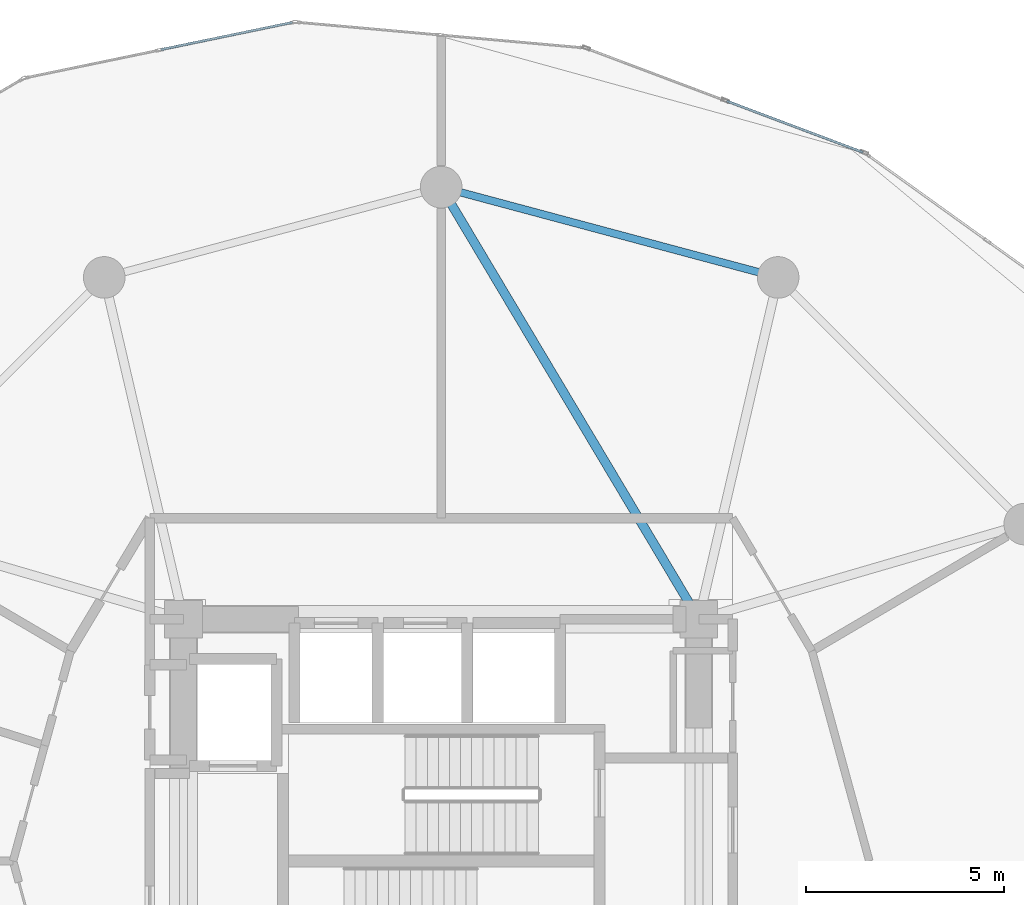
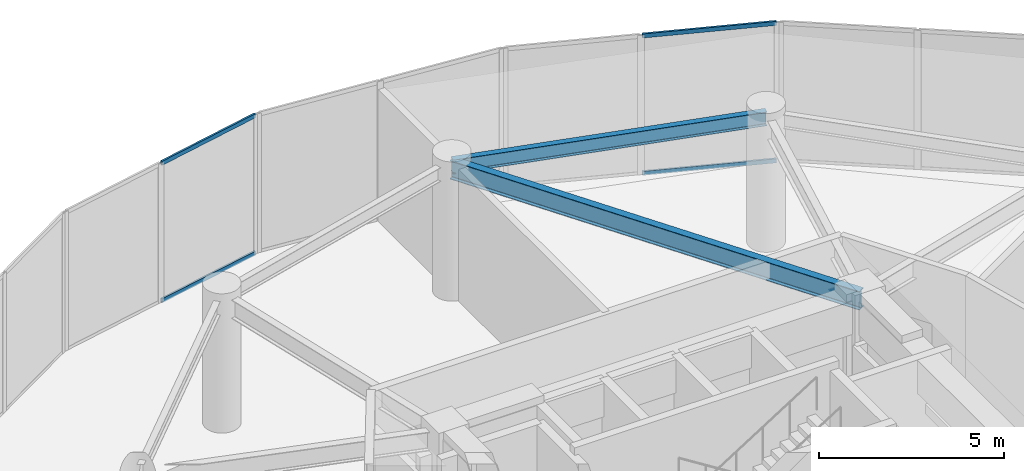
# One storey, part 20 of 28: 4 members, 2 beams, 2 elements without a shape of their own.
"""IFC4 building model written with IfcOpenShell, lengths in metres."""

from ifc_helpers import new_model, si_unit, direction, frame, origin, origin_2d, place, context, subcontext, project, spatial, hollow_rectangle, i_section, extrude, source, transform, mapped, material, layer, layer_set, material_profile, profile_set, type_object, element, aggregate, save


model = new_model("IFC4")

# Units and contexts
model_context = context("Model", 3, precision=1e-05, world=origin(), true_north=direction((0.0, 1.0)))
body_context = subcontext(model_context, "Body", "Model", "MODEL_VIEW")
ifc_project = project(units=[si_unit("LENGTHUNIT", "METRE"), si_unit("AREAUNIT", "SQUARE_METRE"), si_unit("VOLUMEUNIT", "CUBIC_METRE"), si_unit("PLANEANGLEUNIT", "RADIAN"), si_unit("MASSUNIT", "GRAM", prefix="KILO")], contexts=[model_context])

# Site, building, storey
site_placement = place(None, origin())
site = spatial("IfcSite", under=ifc_project, at=site_placement, CompositionType="ELEMENT")
building_placement = place(site_placement, origin())
building = spatial("IfcBuilding", under=site, at=building_placement, Name="Solvirekh Grand Hotel", CompositionType="ELEMENT")
storey_placement = place(building_placement, frame((0.0, 0.0, 98.0)))
storey = spatial("IfcBuildingStorey", under=building, at=storey_placement, Name="L24", CompositionType="ELEMENT", Elevation=98.0)

# Beams
ifc_material_1 = material(Name="Steel S355", Category="steel")
ifc_material_profile_1 = material_profile(ifc_material_1, i_section(OverallWidth=0.22802734375, OverallDepth=0.616943359375, WebThickness=0.012939453125, FlangeThickness=0.02001953125, FilletRadius=0.014892578125, at=origin_2d()), Name="W610X140")
ifc_profile_set_1 = profile_set([ifc_material_profile_1], Name="Steel S355")
beam_type_1 = type_object("IfcBeamType", Name="Beam_Radial_W610", PredefinedType="BEAM", material=ifc_profile_set_1)
beam_1_placement = place(storey_placement, frame((6.5, 6.10009765625, 4.041015625), z_axis=(-0.512179721377, 0.858878299301, 0.0), x_axis=(-0.858878299301, -0.512179721377, 0.0)))
element("IfcBeam", 1, at=beam_1_placement, inside=storey, type_object=beam_type_1, Name="L24 radial floor beam R04", PredefinedType="BEAM", context=body_context, shape_type="SweptSolid", body=[
    extrude(i_section(OverallWidth=0.22802734375, OverallDepth=0.616943359375, WebThickness=0.012939453125, FlangeThickness=0.02001953125, FilletRadius=0.014892578125, at=origin_2d()), origin(), (0.0, 0.0, 1.0), 12.69091796875),
])
ifc_material_profile_2 = material_profile(ifc_material_1, i_section(OverallWidth=0.18994140625, OverallDepth=0.45703125, WebThickness=0.009033203125, FlangeThickness=0.013916015625, FilletRadius=0.012939453125, at=origin_2d()), Name="W460X74")
ifc_profile_set_2 = profile_set([ifc_material_profile_2], Name="Steel S355")
beam_type_2 = type_object("IfcBeamType", Name="Spandrel_Ring_W460", PredefinedType="SPANDREL", material=ifc_profile_set_2)
beam_2_placement = place(storey_placement, frame((8.5, 14.721923828125, 4.12109375), z_axis=(-0.965911391906, 0.258872908946, 0.0), x_axis=(-0.258872908946, -0.965911391906, 0.0)))
element("IfcBeam", 2, at=beam_2_placement, inside=storey, type_object=beam_type_2, Name="L24 perimeter spandrel beam 3", PredefinedType="SPANDREL", context=body_context, shape_type="SweptSolid", body=[
    extrude(i_section(OverallWidth=0.18994140625, OverallDepth=0.45703125, WebThickness=0.009033203125, FlangeThickness=0.013916015625, FilletRadius=0.012939453125, at=origin_2d()), origin(), (0.0, 0.0, 1.0), 8.800048828125),
])

# Curtain wall, members
ifc_material_2 = material(Name="Anodized Bronze Aluminium 6063-T6", Category="aluminium")
ifc_layer = layer(ifc_material_2, 0.18994140625)
ifc_layer_set = layer_set([ifc_layer], Name="Anodized Bronze Aluminium 6063-T6")
curtain_wall_type = type_object("IfcCurtainWallType", Name="CW_Sys5_SkyLobbyPanoramaCW", PredefinedType="NOTDEFINED", material=ifc_layer_set)
curtain_wall_1_placement = place(storey_placement, origin())
curtain_wall_1 = element("IfcCurtainWall", 3, at=curtain_wall_1_placement, inside=storey, type_object=curtain_wall_type, Name="L24 unitised bronze-glass curtain wall CW-L24-C06", PredefinedType="NOTDEFINED")
ifc_material_profile_3 = material_profile(ifc_material_2, hollow_rectangle(XDim=0.06005859375, YDim=0.135009765625, WallThickness=0.00390625, at=origin_2d()), Name="ALU RHS 135X60X4")
ifc_profile_set_3 = profile_set([ifc_material_profile_3], Name="Anodized Bronze Aluminium 6063-T6")
member_type = type_object("IfcMemberType", Name="CWTransom_Sys5", PredefinedType="USERDEFINED", material=ifc_profile_set_3)
shared_shape_1 = source(origin(), body_context, "Body", "SweptSolid", [
    extrude(hollow_rectangle(XDim=0.06005859375, YDim=0.135009765625, WallThickness=0.00390625, at=origin_2d()), origin(), (0.0, 0.0, 1.0), 3.675048828125),
])
member_1_placement = place(storey_placement, frame((10.6416015625, 17.877685546875, 0.030029296875), z_axis=(-0.935913542481, 0.352229812765, 0.0), x_axis=(-0.352229812765, -0.935913542481, 0.0)))
member_1 = element("IfcMember", 4, at=member_1_placement, type_object=member_type, Name="U05 transom 1.1", ObjectType="TRANSOM", PredefinedType="USERDEFINED", context=body_context, shape_type="MappedRepresentation", body=[
    mapped(shared_shape_1, transform((0.0, 0.0, 0.0), x_axis=(1.0, 0.0, 0.0), y_axis=(0.0, 1.0, 0.0), z_axis=(0.0, 0.0, 1.0), scale=1.0)),
])
member_2_placement = place(storey_placement, frame((10.6416015625, 17.877685546875, 4.570068359375), z_axis=(-0.935913542481, 0.352229812765, 0.0), x_axis=(-0.352229812765, -0.935913542481, 0.0)))
member_2 = element("IfcMember", 5, at=member_2_placement, type_object=member_type, Name="U05 transom 1.2", ObjectType="TRANSOM", PredefinedType="USERDEFINED", context=body_context, shape_type="MappedRepresentation", body=[
    mapped(shared_shape_1, transform((0.0, 0.0, 0.0), x_axis=(1.0, 0.0, 0.0), y_axis=(0.0, 1.0, 0.0), z_axis=(0.0, 0.0, 1.0), scale=1.0)),
])
aggregate(curtain_wall_1, [member_1, member_2])

curtain_wall_2_placement = place(storey_placement, origin())
curtain_wall_2 = element("IfcCurtainWall", 6, at=curtain_wall_2_placement, inside=storey, type_object=curtain_wall_type, Name="L24 unitised bronze-glass curtain wall CW-L24-C08", PredefinedType="NOTDEFINED")
shared_shape_2 = source(origin(), body_context, "Body", "SweptSolid", [
    extrude(hollow_rectangle(XDim=0.06005859375, YDim=0.135009765625, WallThickness=0.00390625, at=origin_2d()), origin(), (0.0, 0.0, 1.0), 3.389404296875),
])
member_3_placement = place(storey_placement, frame((-3.753662109375, 21.15576171875, 0.030029296875), z_axis=(-0.979228376321, -0.202760417752, 0.0), x_axis=(0.202760417752, -0.979228376321, 0.0)))
member_3 = element("IfcMember", 7, at=member_3_placement, type_object=member_type, Name="U05 transom 1.1", ObjectType="TRANSOM", PredefinedType="USERDEFINED", context=body_context, shape_type="MappedRepresentation", body=[
    mapped(shared_shape_2, transform((0.0, 0.0, 0.0), x_axis=(1.0, 0.0, 0.0), y_axis=(0.0, 1.0, 0.0), z_axis=(0.0, 0.0, 1.0), scale=1.0)),
])
member_4_placement = place(storey_placement, frame((-3.753662109375, 21.15576171875, 4.570068359375), z_axis=(-0.979228376321, -0.202760417752, 0.0), x_axis=(0.202760417752, -0.979228376321, 0.0)))
member_4 = element("IfcMember", 8, at=member_4_placement, type_object=member_type, Name="U05 transom 1.2", ObjectType="TRANSOM", PredefinedType="USERDEFINED", context=body_context, shape_type="MappedRepresentation", body=[
    mapped(shared_shape_2, transform((0.0, 0.0, 0.0), x_axis=(1.0, 0.0, 0.0), y_axis=(0.0, 1.0, 0.0), z_axis=(0.0, 0.0, 1.0), scale=1.0)),
])
aggregate(curtain_wall_2, [member_3, member_4])

save(model, "model.ifc")
